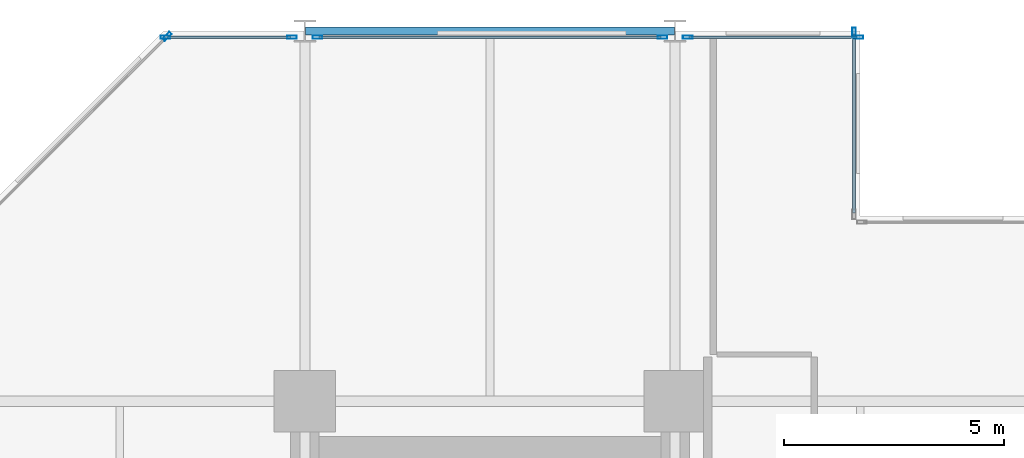
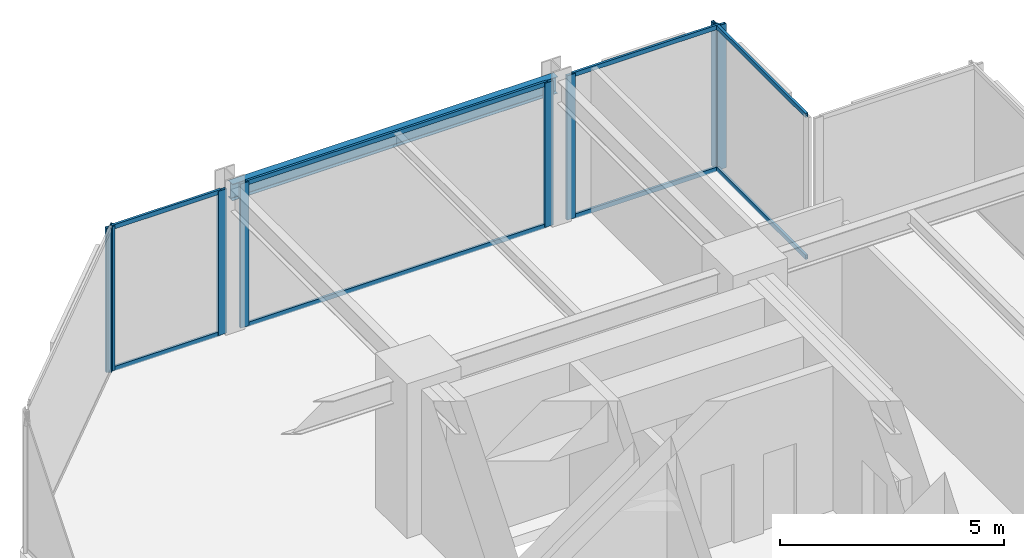
# One storey, part 17 of 24: 16 members, 1 beam, 5 elements without a shape of their own.
"""IFC4 building model written with IfcOpenShell, lengths in metres."""

from ifc_helpers import new_model, si_unit, direction, frame, origin, origin_2d, place, context, subcontext, project, spatial, hollow_rectangle, i_section, extrude, material, layer, layer_set, material_profile, profile_set, type_object, element, aggregate, save


model = new_model("IFC4")

# Units and contexts
model_context = context("Model", 3, precision=1e-05, world=origin(), true_north=direction((0.0, 1.0)))
body_context = subcontext(model_context, "Body", "Model", "MODEL_VIEW")
ifc_project = project(units=[si_unit("LENGTHUNIT", "METRE"), si_unit("AREAUNIT", "SQUARE_METRE"), si_unit("VOLUMEUNIT", "CUBIC_METRE"), si_unit("PLANEANGLEUNIT", "RADIAN"), si_unit("MASSUNIT", "GRAM", prefix="KILO")], contexts=[model_context])

# Site, building, storey
site_placement = place(None, origin())
site = spatial("IfcSite", under=ifc_project, at=site_placement, CompositionType="ELEMENT")
building_placement = place(site_placement, origin())
building = spatial("IfcBuilding", under=site, at=building_placement, Name="Nerrivon Quay Data Exchange", CompositionType="ELEMENT")
storey_placement = place(building_placement, frame((0.0, 0.0, 45.800048828125)))
storey = spatial("IfcBuildingStorey", under=building, at=storey_placement, Name="L10", CompositionType="ELEMENT", Elevation=45.800048828125)

# Beam
ifc_material_1 = material(Name="Steel Grade 350", Category="steel")
ifc_material_profile_1 = material_profile(ifc_material_1, i_section(OverallWidth=0.18994140625, OverallDepth=0.4541015625, WebThickness=0.008544921875, FlangeThickness=0.0126953125, FilletRadius=0.011474609375, at=origin_2d()), Name="460UB67.1")
ifc_profile_set_1 = profile_set([ifc_material_profile_1], Name="Steel Grade 350")
beam_type = type_object("IfcBeamType", Name="BM-SP1-460UB67", PredefinedType="SPANDREL", material=ifc_profile_set_1)
beam_placement = place(storey_placement, frame((8.4140625, 50.39990234375, 3.697998046875), z_axis=(1.0, 0.0, 0.0), x_axis=(0.0, 1.0, 0.0)))
element("IfcBeam", 1, at=beam_placement, inside=storey, type_object=beam_type, Name="L10 EW Girder Y=50.4 (8.4..16.8)", PredefinedType="SPANDREL", context=body_context, shape_type="SweptSolid", body=[
    extrude(i_section(OverallWidth=0.18994140625, OverallDepth=0.4541015625, WebThickness=0.008544921875, FlangeThickness=0.0126953125, FilletRadius=0.011474609375, at=origin_2d()), origin(), (0.0, 0.0, 1.0), 8.371826171875),
])

# Curtain wall, member
ifc_material_2 = material(Name="Anodised aluminium 6063-T6", Category="aluminium")
ifc_layer = layer(ifc_material_2, 0.219970703125)
ifc_layer_set = layer_set([ifc_layer], Name="Anodised aluminium 6063-T6")
curtain_wall_type = type_object("IfcCurtainWallType", Name="CW-SYS-01", PredefinedType="NOTDEFINED", material=ifc_layer_set)
curtain_wall_1_placement = place(storey_placement, origin())
curtain_wall_1 = element("IfcCurtainWall", 2, at=curtain_wall_1_placement, inside=storey, type_object=curtain_wall_type, Name="L10 Unitised Curtain Wall 19", PredefinedType="NOTDEFINED")
ifc_material_profile_2 = material_profile(ifc_material_2, hollow_rectangle(XDim=0.074951171875, YDim=0.219970703125, WallThickness=0.00390625, at=origin_2d()), Name="ALU-MULL-220x75")
ifc_profile_set_2 = profile_set([ifc_material_profile_2], Name="Anodised aluminium 6063-T6")
member_type_1 = type_object("IfcMemberType", Name="CWM-220x75", PredefinedType="MULLION", material=ifc_profile_set_2)
member_1_placement = place(storey_placement, frame((5.2724609375, 50.2744140625, 0.0), z_axis=(0.0, 0.0, 1.0), x_axis=(-0.707106781187, 0.707106781187, 0.0)))
member_1 = element("IfcMember", 3, at=member_1_placement, type_object=member_type_1, Name="CW01 mullion 2", PredefinedType="MULLION", context=body_context, shape_type="SweptSolid", body=[
    extrude(hollow_rectangle(XDim=0.074951171875, YDim=0.219970703125, WallThickness=0.00390625, at=origin_2d()), origin(), (0.0, 0.0, 1.0), 3.925048828125),
])
aggregate(curtain_wall_1, [member_1])

# Curtain wall, members
curtain_wall_2_placement = place(storey_placement, origin())
curtain_wall_2 = element("IfcCurtainWall", 4, at=curtain_wall_2_placement, inside=storey, type_object=curtain_wall_type, Name="L10 Unitised Curtain Wall 20", PredefinedType="NOTDEFINED")
member_2_placement = place(storey_placement, frame((5.237548828125, 50.260009765625, 0.0), z_axis=(0.0, 0.0, 1.0), x_axis=(0.0, 1.0, 0.0)))
member_2 = element("IfcMember", 5, at=member_2_placement, type_object=member_type_1, Name="CW01 mullion 1", PredefinedType="MULLION", context=body_context, shape_type="SweptSolid", body=[
    extrude(hollow_rectangle(XDim=0.074951171875, YDim=0.219970703125, WallThickness=0.00390625, at=origin_2d()), origin(), (0.0, 0.0, 1.0), 3.925048828125),
])
member_3_placement = place(storey_placement, frame((8.112548828125, 50.260009765625, 0.0), z_axis=(0.0, 0.0, 1.0), x_axis=(0.0, 1.0, 0.0)))
member_3 = element("IfcMember", 6, at=member_3_placement, type_object=member_type_1, Name="CW01 mullion 2", PredefinedType="MULLION", context=body_context, shape_type="SweptSolid", body=[
    extrude(hollow_rectangle(XDim=0.074951171875, YDim=0.219970703125, WallThickness=0.00390625, at=origin_2d()), origin(), (0.0, 0.0, 1.0), 3.925048828125),
])

curtain_wall_3_placement = place(storey_placement, origin())
curtain_wall_3 = element("IfcCurtainWall", 7, at=curtain_wall_3_placement, inside=storey, type_object=curtain_wall_type, Name="L10 Unitised Curtain Wall 21", PredefinedType="NOTDEFINED")
member_4_placement = place(storey_placement, frame((8.6875, 50.260009765625, 0.0), z_axis=(0.0, 0.0, 1.0), x_axis=(0.0, 1.0, 0.0)))
member_4 = element("IfcMember", 8, at=member_4_placement, type_object=member_type_1, Name="CW01 mullion 1", PredefinedType="MULLION", context=body_context, shape_type="SweptSolid", body=[
    extrude(hollow_rectangle(XDim=0.074951171875, YDim=0.219970703125, WallThickness=0.00390625, at=origin_2d()), origin(), (0.0, 0.0, 1.0), 3.925048828125),
])
member_5_placement = place(storey_placement, frame((16.512451171875, 50.260009765625, 0.0), z_axis=(0.0, 0.0, 1.0), x_axis=(0.0, 1.0, 0.0)))
member_5 = element("IfcMember", 9, at=member_5_placement, type_object=member_type_1, Name="CW01 mullion 2", PredefinedType="MULLION", context=body_context, shape_type="SweptSolid", body=[
    extrude(hollow_rectangle(XDim=0.074951171875, YDim=0.219970703125, WallThickness=0.00390625, at=origin_2d()), origin(), (0.0, 0.0, 1.0), 3.925048828125),
])

curtain_wall_4_placement = place(storey_placement, origin())
curtain_wall_4 = element("IfcCurtainWall", 10, at=curtain_wall_4_placement, inside=storey, type_object=curtain_wall_type, Name="L10 Unitised Curtain Wall 22", PredefinedType="NOTDEFINED")
member_6_placement = place(storey_placement, frame((17.08740234375, 50.260009765625, 0.0), z_axis=(0.0, 0.0, 1.0), x_axis=(0.0, 1.0, 0.0)))
member_6 = element("IfcMember", 11, at=member_6_placement, type_object=member_type_1, Name="CW01 mullion 1", PredefinedType="MULLION", context=body_context, shape_type="SweptSolid", body=[
    extrude(hollow_rectangle(XDim=0.074951171875, YDim=0.219970703125, WallThickness=0.00390625, at=origin_2d()), origin(), (0.0, 0.0, 1.0), 3.925048828125),
])
member_7_placement = place(storey_placement, frame((20.96240234375, 50.260009765625, 0.0), z_axis=(0.0, 0.0, 1.0), x_axis=(0.0, 1.0, 0.0)))
member_7 = element("IfcMember", 12, at=member_7_placement, type_object=member_type_1, Name="CW01 mullion 2", PredefinedType="MULLION", context=body_context, shape_type="SweptSolid", body=[
    extrude(hollow_rectangle(XDim=0.074951171875, YDim=0.219970703125, WallThickness=0.00390625, at=origin_2d()), origin(), (0.0, 0.0, 1.0), 3.925048828125),
])

# Curtain wall, member
curtain_wall_5_placement = place(storey_placement, origin())
curtain_wall_5 = element("IfcCurtainWall", 13, at=curtain_wall_5_placement, inside=storey, type_object=curtain_wall_type, Name="L10 Unitised Curtain Wall 23", PredefinedType="NOTDEFINED")
member_8_placement = place(storey_placement, frame((20.860107421875, 50.362548828125, 0.0), z_axis=(0.0, 0.0, 1.0), x_axis=(1.0, 0.0, 0.0)))
member_8 = element("IfcMember", 14, at=member_8_placement, type_object=member_type_1, Name="CW01 mullion 1", PredefinedType="MULLION", context=body_context, shape_type="SweptSolid", body=[
    extrude(hollow_rectangle(XDim=0.074951171875, YDim=0.219970703125, WallThickness=0.00390625, at=origin_2d()), origin(), (0.0, 0.0, 1.0), 3.925048828125),
])

# Member
ifc_material_profile_3 = material_profile(ifc_material_2, hollow_rectangle(XDim=0.06005859375, YDim=0.1201171875, WallThickness=0.003173828125, at=origin_2d()), Name="ALU-TRAN-120x60")
ifc_profile_set_3 = profile_set([ifc_material_profile_3], Name="Anodised aluminium 6063-T6")
member_type_2 = type_object("IfcMemberType", Name="CWT-120x60", PredefinedType="USERDEFINED", material=ifc_profile_set_3)
member_9_placement = place(storey_placement, frame((5.27490234375, 50.260009765625, 0.032470703125), z_axis=(1.0, 0.0, 0.0), x_axis=(0.0, 1.0, 0.0)))
member_9 = element("IfcMember", 15, at=member_9_placement, type_object=member_type_2, Name="CW01 transom 1.1", ObjectType="TRANSOM", PredefinedType="USERDEFINED", context=body_context, shape_type="SweptSolid", body=[
    extrude(hollow_rectangle(XDim=0.06005859375, YDim=0.1201171875, WallThickness=0.003173828125, at=origin_2d()), origin(), (0.0, 0.0, 1.0), 2.800048828125),
])

member_10_placement = place(storey_placement, frame((5.27490234375, 50.260009765625, 3.892333984375), z_axis=(1.0, 0.0, 0.0), x_axis=(0.0, 1.0, 0.0)))
member_10 = element("IfcMember", 16, at=member_10_placement, type_object=member_type_2, Name="CW01 transom 1.2", ObjectType="TRANSOM", PredefinedType="USERDEFINED", context=body_context, shape_type="SweptSolid", body=[
    extrude(hollow_rectangle(XDim=0.06005859375, YDim=0.1201171875, WallThickness=0.003173828125, at=origin_2d()), origin(), (0.0, 0.0, 1.0), 2.800048828125),
])

aggregate(curtain_wall_2, [member_2, member_3, member_9, member_10])

member_11_placement = place(storey_placement, frame((8.72509765625, 50.260009765625, 0.032470703125), z_axis=(1.0, 0.0, 0.0), x_axis=(0.0, 1.0, 0.0)))
member_11 = element("IfcMember", 17, at=member_11_placement, type_object=member_type_2, Name="CW01 transom 1.1", ObjectType="TRANSOM", PredefinedType="USERDEFINED", context=body_context, shape_type="SweptSolid", body=[
    extrude(hollow_rectangle(XDim=0.06005859375, YDim=0.1201171875, WallThickness=0.003173828125, at=origin_2d()), origin(), (0.0, 0.0, 1.0), 7.75),
])

member_12_placement = place(storey_placement, frame((8.72509765625, 50.260009765625, 3.892333984375), z_axis=(1.0, 0.0, 0.0), x_axis=(0.0, 1.0, 0.0)))
member_12 = element("IfcMember", 18, at=member_12_placement, type_object=member_type_2, Name="CW01 transom 1.2", ObjectType="TRANSOM", PredefinedType="USERDEFINED", context=body_context, shape_type="SweptSolid", body=[
    extrude(hollow_rectangle(XDim=0.06005859375, YDim=0.1201171875, WallThickness=0.003173828125, at=origin_2d()), origin(), (0.0, 0.0, 1.0), 7.75),
])

aggregate(curtain_wall_3, [member_4, member_5, member_11, member_12])

member_13_placement = place(storey_placement, frame((17.125, 50.260009765625, 0.032470703125), z_axis=(1.0, 0.0, 0.0), x_axis=(0.0, 1.0, 0.0)))
member_13 = element("IfcMember", 19, at=member_13_placement, type_object=member_type_2, Name="CW01 transom 1.1", ObjectType="TRANSOM", PredefinedType="USERDEFINED", context=body_context, shape_type="SweptSolid", body=[
    extrude(hollow_rectangle(XDim=0.06005859375, YDim=0.1201171875, WallThickness=0.003173828125, at=origin_2d()), origin(), (0.0, 0.0, 1.0), 3.800048828125),
])

member_14_placement = place(storey_placement, frame((17.125, 50.260009765625, 3.892333984375), z_axis=(1.0, 0.0, 0.0), x_axis=(0.0, 1.0, 0.0)))
member_14 = element("IfcMember", 20, at=member_14_placement, type_object=member_type_2, Name="CW01 transom 1.2", ObjectType="TRANSOM", PredefinedType="USERDEFINED", context=body_context, shape_type="SweptSolid", body=[
    extrude(hollow_rectangle(XDim=0.06005859375, YDim=0.1201171875, WallThickness=0.003173828125, at=origin_2d()), origin(), (0.0, 0.0, 1.0), 3.800048828125),
])

aggregate(curtain_wall_4, [member_6, member_7, member_13, member_14])

member_15_placement = place(storey_placement, frame((20.860107421875, 50.324951171875, 0.032470703125), z_axis=(0.0, -1.0, 0.0), x_axis=(1.0, 0.0, 0.0)))
member_15 = element("IfcMember", 21, at=member_15_placement, type_object=member_type_2, Name="CW01 transom 1.1", ObjectType="TRANSOM", PredefinedType="USERDEFINED", context=body_context, shape_type="SweptSolid", body=[
    extrude(hollow_rectangle(XDim=0.06005859375, YDim=0.1201171875, WallThickness=0.003173828125, at=origin_2d()), origin(), (0.0, 0.0, 1.0), 4.050048828125),
])

member_16_placement = place(storey_placement, frame((20.860107421875, 50.324951171875, 3.892333984375), z_axis=(0.0, -1.0, 0.0), x_axis=(1.0, 0.0, 0.0)))
member_16 = element("IfcMember", 22, at=member_16_placement, type_object=member_type_2, Name="CW01 transom 1.2", ObjectType="TRANSOM", PredefinedType="USERDEFINED", context=body_context, shape_type="SweptSolid", body=[
    extrude(hollow_rectangle(XDim=0.06005859375, YDim=0.1201171875, WallThickness=0.003173828125, at=origin_2d()), origin(), (0.0, 0.0, 1.0), 4.050048828125),
])

aggregate(curtain_wall_5, [member_8, member_15, member_16])

save(model, "model.ifc")
